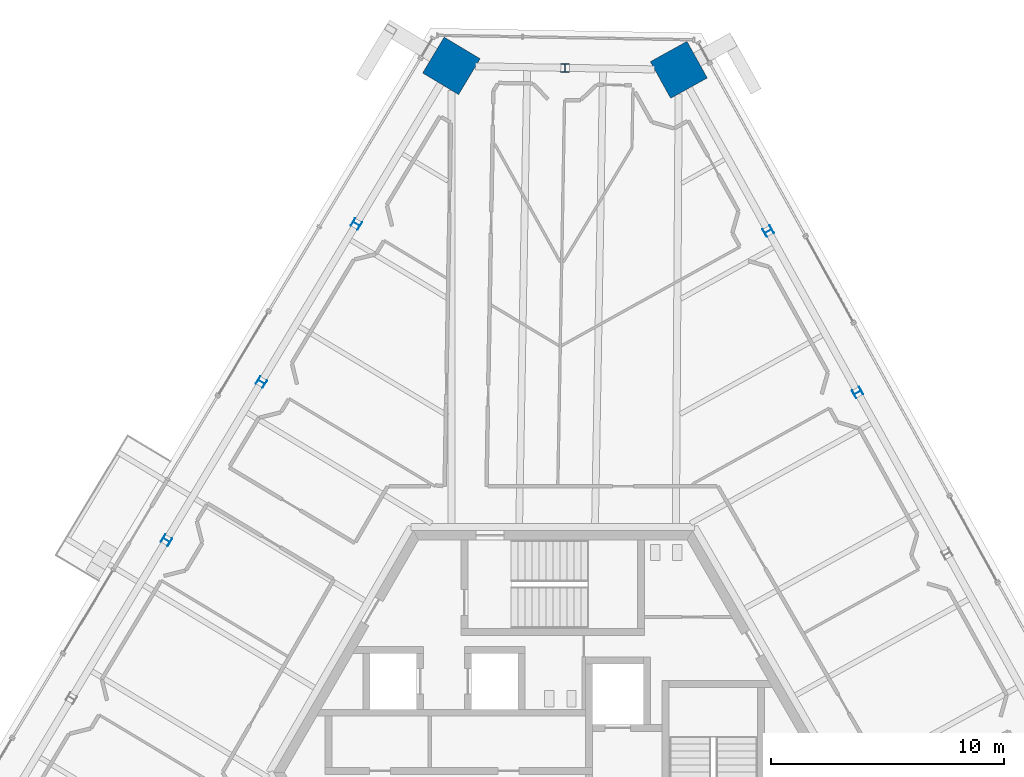
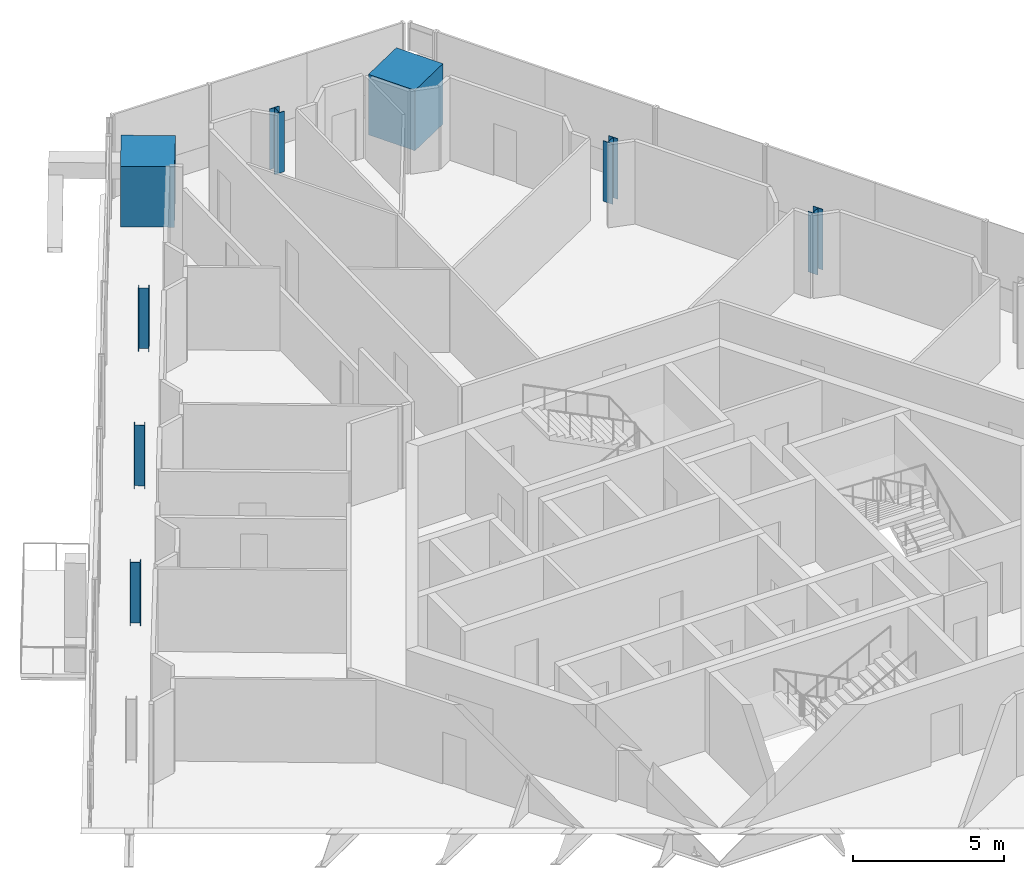
# One storey, part 3 of 24: 8 columns.
"""IFC4 building model written with IfcOpenShell, lengths in metres."""

from ifc_helpers import new_model, si_unit, direction, frame, origin, origin_2d, place, context, subcontext, project, spatial, rectangle, i_section, extrude, source, transform, mapped, material, material_profile, profile_set, type_object, element, save


model = new_model("IFC4")

# Units and contexts
model_context = context("Model", 3, precision=1e-05, world=origin(), true_north=direction((0.0, 1.0)))
body_context = subcontext(model_context, "Body", "Model", "MODEL_VIEW")
ifc_project = project(units=[si_unit("LENGTHUNIT", "METRE"), si_unit("AREAUNIT", "SQUARE_METRE"), si_unit("VOLUMEUNIT", "CUBIC_METRE"), si_unit("PLANEANGLEUNIT", "RADIAN"), si_unit("MASSUNIT", "GRAM", prefix="KILO")], contexts=[model_context])

# Site, building, storey
site_placement = place(None, origin())
site = spatial("IfcSite", under=ifc_project, at=site_placement, CompositionType="ELEMENT")
building_placement = place(site_placement, origin())
building = spatial("IfcBuilding", under=site, at=building_placement, Name="Triune Harvest Tower", CompositionType="ELEMENT")
storey_placement = place(building_placement, frame((0.0, 0.0, 212.300048828125)))
storey = spatial("IfcBuildingStorey", under=building, at=storey_placement, Name="L55", CompositionType="ELEMENT", Elevation=212.300048828125)

# Columns
ifc_material_1 = material(Name="Concrete 70 MPa", Category="concrete")
ifc_material_profile_1 = material_profile(ifc_material_1, rectangle(XDim=1.800048828125, YDim=1.800048828125, at=origin_2d()), Name="Composite 1800x1800")
ifc_profile_set_1 = profile_set([ifc_material_profile_1], Name="Concrete 70 MPa")
column_type_1 = type_object("IfcColumnType", Name="MC-5 Mega column Composite 1800x1800", PredefinedType="COLUMN", material=ifc_profile_set_1)
shared_shape_1 = source(origin(), body_context, "Body", "SweptSolid", [
    extrude(rectangle(XDim=1.800048828125, YDim=1.800048828125, at=origin_2d()), origin(), (0.0, 0.0, 1.0), 2.449951171875),
])
for number, where, z_axis, x_axis, name in (
    (1, (5.416015625, 30.193115234375, 0.0), (0.0, 0.0, 1.0), (-0.484809620246, 0.874619707139, 0.0), "col/L55/M6"),
    (2, (-4.359130859375, 30.36376953125, 0.0), (0.0, 0.0, 1.0), (-0.51503657887, -0.857168199612, 0.0), "col/L55/M8"),
):
    element("IfcColumn", number, at=place(storey_placement, frame(where, z_axis=z_axis, x_axis=x_axis)), inside=storey, type_object=column_type_1, Name=name, PredefinedType="COLUMN", context=body_context, shape_type="MappedRepresentation", body=[
        mapped(shared_shape_1, transform((0.0, 0.0, 0.0), scale=1.0)),
    ])
ifc_material_2 = material(Name="Steel ASTM A992 Gr 50", Category="steel")
ifc_material_profile_2 = material_profile(ifc_material_2, i_section(OverallWidth=0.370849609375, OverallDepth=0.36328125, WebThickness=0.013427734375, FlangeThickness=0.021728515625, at=origin_2d()), Name="W14x109")
ifc_profile_set_2 = profile_set([ifc_material_profile_2], Name="Steel ASTM A992 Gr 50")
column_type_2 = type_object("IfcColumnType", Name="PC-5 Perimeter column W14x109", PredefinedType="COLUMN", material=ifc_profile_set_2)
shared_shape_2 = source(origin(), body_context, "Body", "SweptSolid", [
    extrude(i_section(OverallWidth=0.370849609375, OverallDepth=0.36328125, WebThickness=0.013427734375, FlangeThickness=0.021728515625, at=origin_2d()), origin(), (0.0, 0.0, 1.0), 2.449951171875),
])
for number, where, z_axis, x_axis, name in (
    (3, (13.1025390625, 16.326416015625, 0.0), (0.0, 0.0, 1.0), (-0.484809620246, 0.874619707139, 0.0), "col/L55/P4"),
    (4, (9.25927734375, 23.259765625, 0.0), (0.0, 0.0, 1.0), (-0.484809620246, 0.874619707139, 0.0), "col/L55/P5"),
    (5, (0.528564453125, 30.2783203125, 0.0), (0.0, 0.0, 1.0), (-0.999847725615, 0.017450661374, 0.0), "col/L55/P7"),
    (6, (-8.44189453125, 23.568603515625, 0.0), (0.0, 0.0, 1.0), (-0.51503657887, -0.857168199612, 0.0), "col/L55/P9"),
    (7, (-12.524658203125, 16.773681640625, 0.0), (0.0, 0.0, 1.0), (-0.51503657887, -0.857168199612, 0.0), "col/L55/P10"),
    (8, (-16.607421875, 9.978759765625, 0.0), (0.0, 0.0, 1.0), (-0.51503657887, -0.857168199612, 0.0), "col/L55/P11"),
):
    element("IfcColumn", number, at=place(storey_placement, frame(where, z_axis=z_axis, x_axis=x_axis)), inside=storey, type_object=column_type_2, Name=name, PredefinedType="COLUMN", context=body_context, shape_type="MappedRepresentation", body=[
        mapped(shared_shape_2, transform((0.0, 0.0, 0.0), scale=1.0)),
    ])

save(model, "model.ifc")
